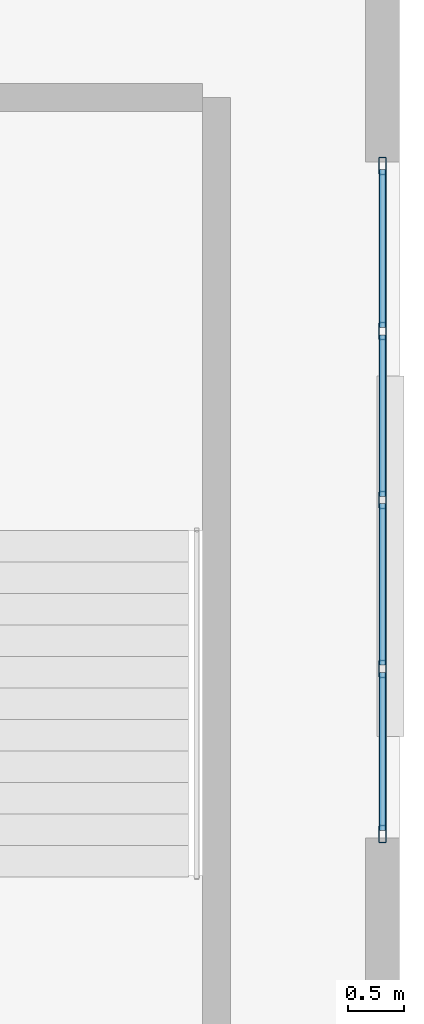
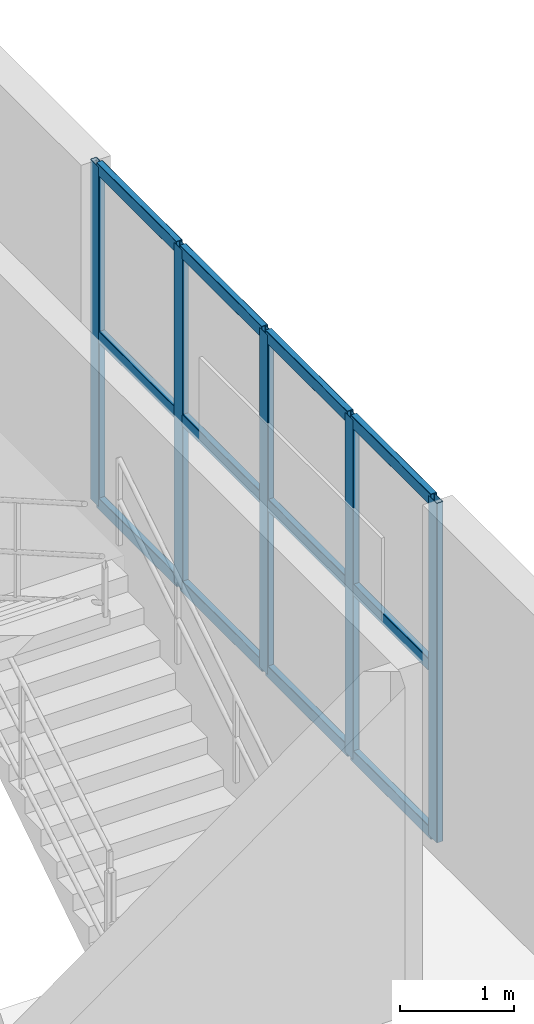
# One storey, part 2 of 6: 17 members, 1 element without a shape of its own.
"""IFC4 building model written with IfcOpenShell, lengths in metres."""

from ifc_helpers import new_model, entity, si_unit, converted_unit, direction, frame, origin_with_axes, origin_2d_with_axis, place, context, subcontext, project, spatial, hollow_rectangle, extrude, material, material_profile, profile_set, type_object, element, aggregate, save


model = new_model("IFC4")

# Units and contexts
model_context = context("Model", 3, precision=1e-05, world=origin_with_axes(), true_north=direction((0.0, 1.0)))
body_context = subcontext(model_context, "Body", "Model", "MODEL_VIEW")
ifc_project = project(units=[si_unit("LENGTHUNIT", "METRE"), si_unit("AREAUNIT", "SQUARE_METRE"), si_unit("VOLUMEUNIT", "CUBIC_METRE"), converted_unit("PLANEANGLEUNIT", "DEGREE", entity("IfcPlaneAngleMeasure", 0.017453292519943295), si_unit("PLANEANGLEUNIT", "RADIAN"), dimensions=[0, 0, 0, 0, 0, 0, 0]), si_unit("MASSUNIT", "GRAM", prefix="KILO"), si_unit("THERMODYNAMICTEMPERATUREUNIT", "KELVIN")], contexts=[model_context])

# Site, building, storey
site_placement = place(None, origin_with_axes())
site = spatial("IfcSite", under=ifc_project, at=site_placement, CompositionType="ELEMENT")
building_placement = place(site_placement, origin_with_axes())
building = spatial("IfcBuilding", under=site, at=building_placement, Name="Varnlund Millrace Tower", CompositionType="ELEMENT")
storey_placement = place(building_placement, frame((0.0, 0.0, 328.2), z_axis=(0.0, 0.0, 1.0), x_axis=(1.0, 0.0, 0.0)))
storey = spatial("IfcBuildingStorey", under=building, at=storey_placement, Name="L81", CompositionType="ELEMENT", Elevation=328.2)

# Curtain wall, members
ifc_material_1 = material(Name="Thermally broken architectural bronze curtain wall", Category="aluminium")
curtain_wall_type = type_object("IfcCurtainWallType", Name="Type-CW-Sys7-CrownLantern", PredefinedType="NOTDEFINED", material=ifc_material_1)
curtain_wall_placement = place(storey_placement, frame((29.25, 37.0, 0.0), z_axis=(0.0, 0.0, 1.0), x_axis=(1.0, 0.0, 0.0)))
curtain_wall = element("IfcCurtainWall", 1, at=curtain_wall_placement, inside=storey, type_object=curtain_wall_type, Name="Type-CW-Sys7-CrownLantern", PredefinedType="NOTDEFINED")
ifc_material_2 = material(Name="Architectural bronze aluminium alloy 6063-T6", Category="aluminium")
ifc_material_profile_1 = material_profile(ifc_material_2, hollow_rectangle(XDim=0.065, YDim=0.155, WallThickness=0.0045, InnerFilletRadius=0.004, OuterFilletRadius=0.009, at=origin_2d_with_axis()), Name="Architectural bronze aluminium alloy 6063-T6")
ifc_profile_set_1 = profile_set([ifc_material_profile_1], Name="Architectural bronze aluminium alloy 6063-T6")
member_type_1 = type_object("IfcMemberType", Name="Type-CW-Mullion-65X155", PredefinedType="MULLION", material=ifc_profile_set_1)
member_1_placement = place(storey_placement, frame((29.25, 36.9675, 0.0), z_axis=(0.0, 0.0, 1.0), x_axis=(1.0, 0.0, 0.0)))
member_1 = element("IfcMember", 2, at=member_1_placement, type_object=member_type_1, Name="CW-07 mullion 1", PredefinedType="MULLION", context=body_context, shape_type="SweptSolid", body=[
    extrude(hollow_rectangle(XDim=0.065, YDim=0.155, WallThickness=0.0045, InnerFilletRadius=0.004, OuterFilletRadius=0.009, at=origin_2d_with_axis()), origin_with_axes(), (0.0, 0.0, 1.0), 3.64),
])
member_2_placement = place(storey_placement, frame((29.25, 35.5, 0.0), z_axis=(0.0, 0.0, 1.0), x_axis=(1.0, 0.0, 0.0)))
member_2 = element("IfcMember", 3, at=member_2_placement, type_object=member_type_1, Name="CW-07 mullion 2", PredefinedType="MULLION", context=body_context, shape_type="SweptSolid", body=[
    extrude(hollow_rectangle(XDim=0.065, YDim=0.155, WallThickness=0.0045, InnerFilletRadius=0.004, OuterFilletRadius=0.009, at=origin_2d_with_axis()), origin_with_axes(), (0.0, 0.0, 1.0), 3.64),
])
member_3_placement = place(storey_placement, frame((29.25, 34.0, 0.0), z_axis=(0.0, 0.0, 1.0), x_axis=(1.0, 0.0, 0.0)))
member_3 = element("IfcMember", 4, at=member_3_placement, type_object=member_type_1, Name="CW-07 mullion 3", PredefinedType="MULLION", context=body_context, shape_type="SweptSolid", body=[
    extrude(hollow_rectangle(XDim=0.065, YDim=0.155, WallThickness=0.0045, InnerFilletRadius=0.004, OuterFilletRadius=0.009, at=origin_2d_with_axis()), origin_with_axes(), (0.0, 0.0, 1.0), 3.64),
])
member_4_placement = place(storey_placement, frame((29.25, 32.5, 0.0), z_axis=(0.0, 0.0, 1.0), x_axis=(1.0, 0.0, 0.0)))
member_4 = element("IfcMember", 5, at=member_4_placement, type_object=member_type_1, Name="CW-07 mullion 4", PredefinedType="MULLION", context=body_context, shape_type="SweptSolid", body=[
    extrude(hollow_rectangle(XDim=0.065, YDim=0.155, WallThickness=0.0045, InnerFilletRadius=0.004, OuterFilletRadius=0.009, at=origin_2d_with_axis()), origin_with_axes(), (0.0, 0.0, 1.0), 3.64),
])
member_5_placement = place(storey_placement, frame((29.25, 31.0325, 0.0), z_axis=(0.0, 0.0, 1.0), x_axis=(1.0, 0.0, 0.0)))
member_5 = element("IfcMember", 6, at=member_5_placement, type_object=member_type_1, Name="CW-07 mullion 5", PredefinedType="MULLION", context=body_context, shape_type="SweptSolid", body=[
    extrude(hollow_rectangle(XDim=0.065, YDim=0.155, WallThickness=0.0045, InnerFilletRadius=0.004, OuterFilletRadius=0.009, at=origin_2d_with_axis()), origin_with_axes(), (0.0, 0.0, 1.0), 3.64),
])
ifc_material_profile_2 = material_profile(ifc_material_2, hollow_rectangle(XDim=0.065, YDim=0.13, WallThickness=0.0045, InnerFilletRadius=0.004, OuterFilletRadius=0.009, at=origin_2d_with_axis()), Name="Architectural bronze aluminium alloy 6063-T6")
ifc_profile_set_2 = profile_set([ifc_material_profile_2], Name="Architectural bronze aluminium alloy 6063-T6")
member_type_2 = type_object("IfcMemberType", Name="Type-CW-Transom-65X130", PredefinedType="USERDEFINED", material=ifc_profile_set_2)
member_6_placement = place(storey_placement, frame((29.25, 36.935, 0.0325), z_axis=(0.0, -1.0, 0.0), x_axis=(1.0, 0.0, 0.0)))
member_6 = element("IfcMember", 7, at=member_6_placement, type_object=member_type_2, Name="CW-07 transom 1.1", ObjectType="TRANSOM", PredefinedType="USERDEFINED", context=body_context, shape_type="SweptSolid", body=[
    extrude(hollow_rectangle(XDim=0.065, YDim=0.13, WallThickness=0.0045, InnerFilletRadius=0.004, OuterFilletRadius=0.009, at=origin_2d_with_axis()), origin_with_axes(), (0.0, 0.0, 1.0), 1.4025),
])
member_7_placement = place(storey_placement, frame((29.25, 36.935, 1.82), z_axis=(0.0, -1.0, 0.0), x_axis=(1.0, 0.0, 0.0)))
member_7 = element("IfcMember", 8, at=member_7_placement, type_object=member_type_2, Name="CW-07 transom 1.2", ObjectType="TRANSOM", PredefinedType="USERDEFINED", context=body_context, shape_type="SweptSolid", body=[
    extrude(hollow_rectangle(XDim=0.065, YDim=0.13, WallThickness=0.0045, InnerFilletRadius=0.004, OuterFilletRadius=0.009, at=origin_2d_with_axis()), origin_with_axes(), (0.0, 0.0, 1.0), 1.4025),
])
member_8_placement = place(storey_placement, frame((29.25, 36.935, 3.6075), z_axis=(0.0, -1.0, 0.0), x_axis=(1.0, 0.0, 0.0)))
member_8 = element("IfcMember", 9, at=member_8_placement, type_object=member_type_2, Name="CW-07 transom 1.3", ObjectType="TRANSOM", PredefinedType="USERDEFINED", context=body_context, shape_type="SweptSolid", body=[
    extrude(hollow_rectangle(XDim=0.065, YDim=0.13, WallThickness=0.0045, InnerFilletRadius=0.004, OuterFilletRadius=0.009, at=origin_2d_with_axis()), origin_with_axes(), (0.0, 0.0, 1.0), 1.4025),
])
member_9_placement = place(storey_placement, frame((29.25, 35.4675, 0.0325), z_axis=(0.0, -1.0, 0.0), x_axis=(1.0, 0.0, 0.0)))
member_9 = element("IfcMember", 10, at=member_9_placement, type_object=member_type_2, Name="CW-07 transom 2.1", ObjectType="TRANSOM", PredefinedType="USERDEFINED", context=body_context, shape_type="SweptSolid", body=[
    extrude(hollow_rectangle(XDim=0.065, YDim=0.13, WallThickness=0.0045, InnerFilletRadius=0.004, OuterFilletRadius=0.009, at=origin_2d_with_axis()), origin_with_axes(), (0.0, 0.0, 1.0), 1.435),
])
member_10_placement = place(storey_placement, frame((29.25, 35.4675, 1.82), z_axis=(0.0, -1.0, 0.0), x_axis=(1.0, 0.0, 0.0)))
member_10 = element("IfcMember", 11, at=member_10_placement, type_object=member_type_2, Name="CW-07 transom 2.2", ObjectType="TRANSOM", PredefinedType="USERDEFINED", context=body_context, shape_type="SweptSolid", body=[
    extrude(hollow_rectangle(XDim=0.065, YDim=0.13, WallThickness=0.0045, InnerFilletRadius=0.004, OuterFilletRadius=0.009, at=origin_2d_with_axis()), origin_with_axes(), (0.0, 0.0, 1.0), 1.435),
])
member_11_placement = place(storey_placement, frame((29.25, 35.4675, 3.6075), z_axis=(0.0, -1.0, 0.0), x_axis=(1.0, 0.0, 0.0)))
member_11 = element("IfcMember", 12, at=member_11_placement, type_object=member_type_2, Name="CW-07 transom 2.3", ObjectType="TRANSOM", PredefinedType="USERDEFINED", context=body_context, shape_type="SweptSolid", body=[
    extrude(hollow_rectangle(XDim=0.065, YDim=0.13, WallThickness=0.0045, InnerFilletRadius=0.004, OuterFilletRadius=0.009, at=origin_2d_with_axis()), origin_with_axes(), (0.0, 0.0, 1.0), 1.435),
])
member_12_placement = place(storey_placement, frame((29.25, 33.9675, 0.0325), z_axis=(0.0, -1.0, 0.0), x_axis=(1.0, 0.0, 0.0)))
member_12 = element("IfcMember", 13, at=member_12_placement, type_object=member_type_2, Name="CW-07 transom 3.1", ObjectType="TRANSOM", PredefinedType="USERDEFINED", context=body_context, shape_type="SweptSolid", body=[
    extrude(hollow_rectangle(XDim=0.065, YDim=0.13, WallThickness=0.0045, InnerFilletRadius=0.004, OuterFilletRadius=0.009, at=origin_2d_with_axis()), origin_with_axes(), (0.0, 0.0, 1.0), 1.435),
])
member_13_placement = place(storey_placement, frame((29.25, 33.9675, 1.82), z_axis=(0.0, -1.0, 0.0), x_axis=(1.0, 0.0, 0.0)))
member_13 = element("IfcMember", 14, at=member_13_placement, type_object=member_type_2, Name="CW-07 transom 3.2", ObjectType="TRANSOM", PredefinedType="USERDEFINED", context=body_context, shape_type="SweptSolid", body=[
    extrude(hollow_rectangle(XDim=0.065, YDim=0.13, WallThickness=0.0045, InnerFilletRadius=0.004, OuterFilletRadius=0.009, at=origin_2d_with_axis()), origin_with_axes(), (0.0, 0.0, 1.0), 1.435),
])
member_14_placement = place(storey_placement, frame((29.25, 33.9675, 3.6075), z_axis=(0.0, -1.0, 0.0), x_axis=(1.0, 0.0, 0.0)))
member_14 = element("IfcMember", 15, at=member_14_placement, type_object=member_type_2, Name="CW-07 transom 3.3", ObjectType="TRANSOM", PredefinedType="USERDEFINED", context=body_context, shape_type="SweptSolid", body=[
    extrude(hollow_rectangle(XDim=0.065, YDim=0.13, WallThickness=0.0045, InnerFilletRadius=0.004, OuterFilletRadius=0.009, at=origin_2d_with_axis()), origin_with_axes(), (0.0, 0.0, 1.0), 1.435),
])
member_15_placement = place(storey_placement, frame((29.25, 32.4675, 0.0325), z_axis=(0.0, -1.0, 0.0), x_axis=(1.0, 0.0, 0.0)))
member_15 = element("IfcMember", 16, at=member_15_placement, type_object=member_type_2, Name="CW-07 transom 4.1", ObjectType="TRANSOM", PredefinedType="USERDEFINED", context=body_context, shape_type="SweptSolid", body=[
    extrude(hollow_rectangle(XDim=0.065, YDim=0.13, WallThickness=0.0045, InnerFilletRadius=0.004, OuterFilletRadius=0.009, at=origin_2d_with_axis()), origin_with_axes(), (0.0, 0.0, 1.0), 1.4025),
])
member_16_placement = place(storey_placement, frame((29.25, 32.4675, 1.82), z_axis=(0.0, -1.0, 0.0), x_axis=(1.0, 0.0, 0.0)))
member_16 = element("IfcMember", 17, at=member_16_placement, type_object=member_type_2, Name="CW-07 transom 4.2", ObjectType="TRANSOM", PredefinedType="USERDEFINED", context=body_context, shape_type="SweptSolid", body=[
    extrude(hollow_rectangle(XDim=0.065, YDim=0.13, WallThickness=0.0045, InnerFilletRadius=0.004, OuterFilletRadius=0.009, at=origin_2d_with_axis()), origin_with_axes(), (0.0, 0.0, 1.0), 1.4025),
])
member_17_placement = place(storey_placement, frame((29.25, 32.4675, 3.6075), z_axis=(0.0, -1.0, 0.0), x_axis=(1.0, 0.0, 0.0)))
member_17 = element("IfcMember", 18, at=member_17_placement, type_object=member_type_2, Name="CW-07 transom 4.3", ObjectType="TRANSOM", PredefinedType="USERDEFINED", context=body_context, shape_type="SweptSolid", body=[
    extrude(hollow_rectangle(XDim=0.065, YDim=0.13, WallThickness=0.0045, InnerFilletRadius=0.004, OuterFilletRadius=0.009, at=origin_2d_with_axis()), origin_with_axes(), (0.0, 0.0, 1.0), 1.4025),
])
aggregate(curtain_wall, [member_1, member_2, member_3, member_4, member_5, member_6, member_7, member_8, member_9, member_10, member_11, member_12, member_13, member_14, member_15, member_16, member_17])

save(model, "model.ifc")
